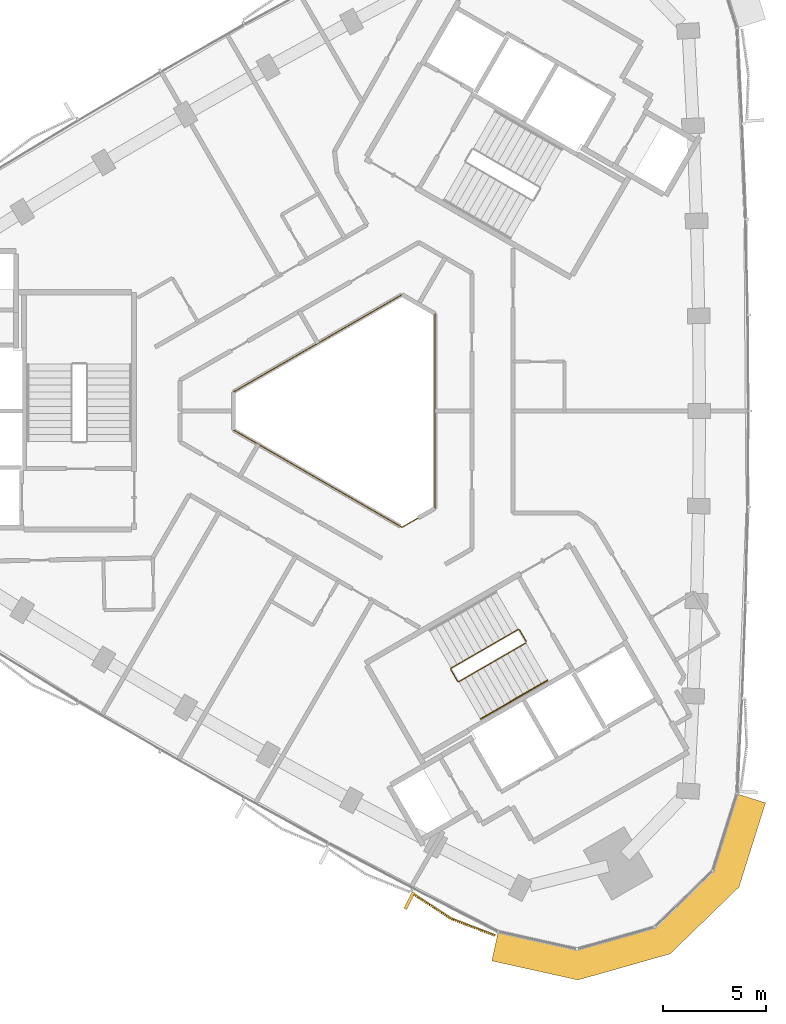
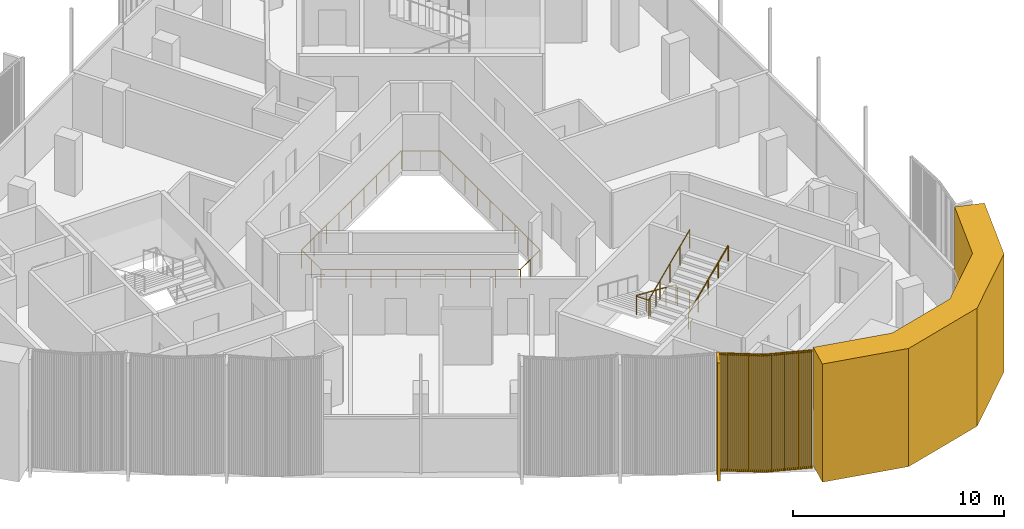
# One storey, part 13 of 16: 3 railings, 2 coverings.
"""IFC4 building model written with IfcOpenShell, lengths in metres."""

from ifc_helpers import new_model, si_unit, direction, frame, frame_2d, origin, origin_2d, place, context, subcontext, project, spatial, polyline, rectangle, circle, outline, extrude, source, transform, mapped, material, layer, layer_set, type_object, element, save


model = new_model("IFC4")

# Units and contexts
model_context = context("Model", 3, precision=1e-05, world=origin(), true_north=direction((0.0, 1.0)))
body_context = subcontext(model_context, "Body", "Model", "MODEL_VIEW")
ifc_project = project(units=[si_unit("LENGTHUNIT", "METRE"), si_unit("AREAUNIT", "SQUARE_METRE"), si_unit("VOLUMEUNIT", "CUBIC_METRE"), si_unit("PLANEANGLEUNIT", "RADIAN"), si_unit("MASSUNIT", "GRAM", prefix="KILO")], contexts=[model_context])

# Site, building, storey
site_placement = place(None, origin())
site = spatial("IfcSite", under=ifc_project, at=site_placement, CompositionType="ELEMENT")
building_placement = place(site_placement, origin())
building = spatial("IfcBuilding", under=site, at=building_placement, Name="Tamra Quay Hotel Tower", CompositionType="ELEMENT")
storey_placement = place(building_placement, frame((0.0, 0.0, 232.199951171875)))
storey = spatial("IfcBuildingStorey", under=building, at=storey_placement, Name="L58", CompositionType="ELEMENT", Elevation=232.199951171875)

# Covering
ifc_material_1 = material(Name="Precast concrete M60 terracotta-coloured", Category="masonry")
ifc_layer = layer(ifc_material_1, 1.449951171875)
ifc_layer_set = layer_set([ifc_layer], Name="CORNER PIER PANEL")
covering_type_1 = type_object("IfcCoveringType", Name="CORNER PIER PANEL", PredefinedType="CLADDING", material=ifc_layer_set)
covering_1_placement = place(storey_placement, origin())
element("IfcCovering", 1, at=covering_1_placement, inside=storey, type_object=covering_type_1, Name="Corner pier L58.south-west", PredefinedType="CLADDING", context=body_context, shape_type="SweptSolid", body=[
    extrude(outline(polyline([(6.880615234375, -25.343017578125), (6.567138671875, -26.758544921875), (10.763671875, -27.68798828125), (15.250732421875, -26.415283203125), (18.5966796875, -23.165771484375), (19.89013671875, -19.066650390625), (18.50732421875, -18.63037109375), (17.323974609375, -22.38037109375), (14.503173828125, -25.1201171875), (10.719970703125, -26.193115234375), (6.880615234375, -25.343017578125)])), origin(), (0.0, 0.0, 1.0), 6.85009765625),
])

# Railings
ifc_material_2 = material(Name="Guard atrium edge 1100")
railing_type_1 = type_object("IfcRailingType", Name="Guard atrium edge 1100", PredefinedType="GUARDRAIL", material=ifc_material_2)
railing_1_placement = place(storey_placement, frame((3.800048828125, -4.73388671875, 0.0)))
element("IfcRailing", 2, at=railing_1_placement, inside=storey, type_object=railing_type_1, Name="G-A", PredefinedType="GUARDRAIL", context=body_context, shape_type="SweptSolid", body=[
    extrude(circle(Radius=0.02392578125, at=origin_2d()), frame((0.0, 0.0, 1.076171875), z_axis=(-0.865965533559, -0.500103683937, 0.0), x_axis=(0.500103683937, -0.865965533559, 0.0)), (0.0, 0.0, 1.0), 1.84765625),
    extrude(circle(Radius=0.02392578125, at=origin_2d()), frame((-1.60009765625, -0.924072265625, 1.076171875), z_axis=(-0.86604174356, 0.49997169761, 0.0), x_axis=(-0.49997169761, -0.86604174356, 0.0)), (0.0, 0.0, 1.0), 9.46826171875),
    extrude(circle(Radius=0.02392578125, at=origin_2d()), frame((-9.800048828125, 3.809814453125, 1.076171875), z_axis=(0.0, 1.0, 0.0), x_axis=(-1.0, 0.0, 0.0)), (0.0, 0.0, 1.0), 1.84814453125),
    extrude(circle(Radius=0.02392578125, at=origin_2d()), frame((-9.800048828125, 5.657958984375, 1.076171875), z_axis=(0.86604174356, 0.49997169761, 0.0), x_axis=(-0.49997169761, 0.86604174356, 0.0)), (0.0, 0.0, 1.0), 9.46826171875),
    extrude(circle(Radius=0.02392578125, at=origin_2d()), frame((-1.60009765625, 10.391845703125, 1.076171875), z_axis=(0.865965533559, -0.500103683937, 0.0), x_axis=(0.500103683937, 0.865965533559, 0.0)), (0.0, 0.0, 1.0), 1.84765625),
    extrude(circle(Radius=0.02392578125, at=origin_2d()), frame((0.0, 9.4677734375, 1.076171875), z_axis=(0.0, -1.0, 0.0), x_axis=(1.0, 0.0, 0.0)), (0.0, 0.0, 1.0), 9.4677734375),
    extrude(circle(Radius=0.02099609375, at=origin_2d()), origin(), (0.0, 0.0, 1.0), 1.052001953125),
    extrude(circle(Radius=0.02099609375, at=origin_2d()), frame((-0.800048828125, -0.4619140625, 0.0)), (0.0, 0.0, 1.0), 1.052001953125),
    extrude(circle(Radius=0.02099609375, at=origin_2d()), frame((-1.60009765625, -0.924072265625, 0.0)), (0.0, 0.0, 1.0), 1.052001953125),
    extrude(circle(Radius=0.02099609375, at=origin_2d()), frame((-2.625, -0.332275390625, 0.0)), (0.0, 0.0, 1.0), 1.052001953125),
    extrude(circle(Radius=0.02099609375, at=origin_2d()), frame((-3.650146484375, 0.25927734375, 0.0)), (0.0, 0.0, 1.0), 1.052001953125),
    extrude(circle(Radius=0.02099609375, at=origin_2d()), frame((-4.675048828125, 0.85107421875, 0.0)), (0.0, 0.0, 1.0), 1.052001953125),
    extrude(circle(Radius=0.02099609375, at=origin_2d()), frame((-5.7001953125, 1.44287109375, 0.0)), (0.0, 0.0, 1.0), 1.052001953125),
    extrude(circle(Radius=0.02099609375, at=origin_2d()), frame((-6.72509765625, 2.03466796875, 0.0)), (0.0, 0.0, 1.0), 1.052001953125),
    extrude(circle(Radius=0.02099609375, at=origin_2d()), frame((-7.75, 2.62646484375, 0.0)), (0.0, 0.0, 1.0), 1.052001953125),
    extrude(circle(Radius=0.02099609375, at=origin_2d()), frame((-8.775146484375, 3.218017578125, 0.0)), (0.0, 0.0, 1.0), 1.052001953125),
    extrude(circle(Radius=0.02099609375, at=origin_2d()), frame((-9.800048828125, 3.809814453125, 0.0)), (0.0, 0.0, 1.0), 1.052001953125),
    extrude(circle(Radius=0.02099609375, at=origin_2d()), frame((-9.800048828125, 4.73388671875, 0.0)), (0.0, 0.0, 1.0), 1.052001953125),
    extrude(circle(Radius=0.02099609375, at=origin_2d()), frame((-9.800048828125, 5.657958984375, 0.0)), (0.0, 0.0, 1.0), 1.052001953125),
    extrude(circle(Radius=0.02099609375, at=origin_2d()), frame((-8.775146484375, 6.249755859375, 0.0)), (0.0, 0.0, 1.0), 1.052001953125),
    extrude(circle(Radius=0.02099609375, at=origin_2d()), frame((-7.75, 6.84130859375, 0.0)), (0.0, 0.0, 1.0), 1.052001953125),
    extrude(circle(Radius=0.02099609375, at=origin_2d()), frame((-6.72509765625, 7.43310546875, 0.0)), (0.0, 0.0, 1.0), 1.052001953125),
    extrude(circle(Radius=0.02099609375, at=origin_2d()), frame((-5.7001953125, 8.02490234375, 0.0)), (0.0, 0.0, 1.0), 1.052001953125),
    extrude(circle(Radius=0.02099609375, at=origin_2d()), frame((-4.675048828125, 8.61669921875, 0.0)), (0.0, 0.0, 1.0), 1.052001953125),
    extrude(circle(Radius=0.02099609375, at=origin_2d()), frame((-3.650146484375, 9.20849609375, 0.0)), (0.0, 0.0, 1.0), 1.052001953125),
    extrude(circle(Radius=0.02099609375, at=origin_2d()), frame((-2.625, 9.800048828125, 0.0)), (0.0, 0.0, 1.0), 1.052001953125),
    extrude(circle(Radius=0.02099609375, at=origin_2d()), frame((-1.60009765625, 10.391845703125, 0.0)), (0.0, 0.0, 1.0), 1.052001953125),
    extrude(circle(Radius=0.02099609375, at=origin_2d()), frame((-0.800048828125, 9.9296875, 0.0)), (0.0, 0.0, 1.0), 1.052001953125),
    extrude(circle(Radius=0.02099609375, at=origin_2d()), frame((0.0, 9.4677734375, 0.0)), (0.0, 0.0, 1.0), 1.052001953125),
    extrude(circle(Radius=0.02099609375, at=origin_2d()), frame((0.0, 8.2841796875, 0.0)), (0.0, 0.0, 1.0), 1.052001953125),
    extrude(circle(Radius=0.02099609375, at=origin_2d()), frame((0.0, 7.100830078125, 0.0)), (0.0, 0.0, 1.0), 1.052001953125),
    extrude(circle(Radius=0.02099609375, at=origin_2d()), frame((0.0, 5.91748046875, 0.0)), (0.0, 0.0, 1.0), 1.052001953125),
    extrude(circle(Radius=0.02099609375, at=origin_2d()), frame((0.0, 4.73388671875, 0.0)), (0.0, 0.0, 1.0), 1.052001953125),
    extrude(circle(Radius=0.02099609375, at=origin_2d()), frame((0.0, 3.55029296875, 0.0)), (0.0, 0.0, 1.0), 1.052001953125),
    extrude(circle(Radius=0.02099609375, at=origin_2d()), frame((0.0, 2.366943359375, 0.0)), (0.0, 0.0, 1.0), 1.052001953125),
    extrude(circle(Radius=0.02099609375, at=origin_2d()), frame((0.0, 1.18359375, 0.0)), (0.0, 0.0, 1.0), 1.052001953125),
])
ifc_material_3 = material(Name="Stair guard 1100")
railing_type_2 = type_object("IfcRailingType", Name="Stair guard 1100", PredefinedType="GUARDRAIL", material=ifc_material_3)
railing_2_placement = place(storey_placement, frame((8.245849609375, -11.221923828125, 0.0)))
element("IfcRailing", 3, at=railing_2_placement, inside=storey, type_object=railing_type_2, Name="GR", PredefinedType="GUARDRAIL", context=body_context, shape_type="SweptSolid", body=[
    extrude(circle(Radius=0.02392578125, at=origin_2d()), frame((0.0, 0.0, 1.076171875), z_axis=(-0.500043078269, 0.866000531106, 0.0), x_axis=(-0.866000531106, -0.500043078269, 0.0)), (0.0, 0.0, 1.0), 0.6591796875),
    extrude(circle(Radius=0.02392578125, at=origin_2d()), frame((-0.32958984375, 0.57080078125, 1.076171875), z_axis=(-0.411831509231, 0.110312011401, 0.90455849349), x_axis=(-0.258736085224, -0.965948051503, 0.0)), (0.0, 0.0, 1.0), 0.166015625),
    extrude(circle(Radius=0.02392578125, at=origin_2d()), frame((-0.39794921875, 0.589111328125, 1.22607421875), z_axis=(-0.793100512587, -0.457912285461, 0.401631567183), x_axis=(0.500012686397, -0.866018079166, 0.0)), (0.0, 0.0, 1.0), 4.10791015625),
    extrude(circle(Radius=0.02392578125, at=origin_2d()), frame((-3.656005859375, -1.2919921875, 2.8759765625), z_axis=(-0.256368644879, -0.966579080015, 0.0), x_axis=(0.966579080015, -0.256368644879, 0.0)), (0.0, 0.0, 1.0), 0.070556640625),
    extrude(circle(Radius=0.02392578125, at=origin_2d()), frame((-3.674072265625, -1.360107421875, 2.8759765625), z_axis=(0.499765215335, -0.866160914346, 0.0), x_axis=(0.866160914346, 0.499765215335, 0.0)), (0.0, 0.0, 1.0), 0.658935546875),
    extrude(circle(Radius=0.02392578125, at=origin_2d()), frame((-3.3447265625, -1.930908203125, 2.8759765625), z_axis=(0.41238007866, -0.110458949641, 0.904290601062), x_axis=(0.258736085224, 0.965948051503, 0.0)), (0.0, 0.0, 1.0), 0.165771484375),
    extrude(circle(Radius=0.02392578125, at=origin_2d()), frame((-3.2763671875, -1.94921875, 3.02587890625), z_axis=(0.793081581205, 0.457901355053, 0.401681409319), x_axis=(-0.500012686397, 0.866018079166, 0.0)), (0.0, 0.0, 1.0), 4.108154296875),
    extrude(circle(Radius=0.02099609375, at=origin_2d()), origin(), (0.0, 0.0, 1.0), 1.052001953125),
    extrude(circle(Radius=0.02099609375, at=origin_2d()), frame((-0.32958984375, 0.57080078125, 0.0)), (0.0, 0.0, 1.0), 1.052001953125),
    extrude(circle(Radius=0.02099609375, at=origin_2d()), frame((-0.39794921875, 0.589111328125, 0.150146484375)), (0.0, 0.0, 1.0), 1.052001953125),
    extrude(circle(Radius=0.02099609375, at=origin_2d()), frame((-1.21240234375, 0.118896484375, 0.5625)), (0.0, 0.0, 1.0), 1.052001953125),
    extrude(circle(Radius=0.02099609375, at=origin_2d()), frame((-2.02685546875, -0.3515625, 0.97509765625)), (0.0, 0.0, 1.0), 1.052001953125),
    extrude(circle(Radius=0.02099609375, at=origin_2d()), frame((-2.841552734375, -0.82177734375, 1.3876953125)), (0.0, 0.0, 1.0), 1.052001953125),
    extrude(circle(Radius=0.02099609375, at=origin_2d()), frame((-3.656005859375, -1.2919921875, 1.800048828125)), (0.0, 0.0, 1.0), 1.052001953125),
    extrude(circle(Radius=0.02099609375, at=origin_2d()), frame((-3.674072265625, -1.360107421875, 1.800048828125)), (0.0, 0.0, 1.0), 1.052001953125),
    extrude(circle(Radius=0.02099609375, at=origin_2d()), frame((-3.3447265625, -1.930908203125, 1.800048828125)), (0.0, 0.0, 1.0), 1.052001953125),
    extrude(circle(Radius=0.02099609375, at=origin_2d()), frame((-3.2763671875, -1.94921875, 1.949951171875)), (0.0, 0.0, 1.0), 1.052001953125),
    extrude(circle(Radius=0.02099609375, at=origin_2d()), frame((-2.4619140625, -1.47900390625, 2.362548828125)), (0.0, 0.0, 1.0), 1.052001953125),
    extrude(circle(Radius=0.02099609375, at=origin_2d()), frame((-1.6474609375, -1.0087890625, 2.77490234375)), (0.0, 0.0, 1.0), 1.052001953125),
    extrude(circle(Radius=0.02099609375, at=origin_2d()), frame((-0.832763671875, -0.538330078125, 3.1875)), (0.0, 0.0, 1.0), 1.052001953125),
    extrude(circle(Radius=0.02099609375, at=origin_2d()), frame((-0.018310546875, -0.068115234375, 3.60009765625)), (0.0, 0.0, 1.0), 1.052001953125),
])
ifc_material_4 = material(Name="Stair handrail 900")
railing_type_3 = type_object("IfcRailingType", Name="Stair handrail 900", PredefinedType="HANDRAIL", material=ifc_material_4)
railing_3_placement = place(storey_placement, frame((6.01953125, -14.98974609375, 1.949951171875)))
element("IfcRailing", 4, at=railing_3_placement, inside=storey, type_object=railing_type_3, Name="HR", PredefinedType="HANDRAIL", context=body_context, shape_type="SweptSolid", body=[
    extrude(circle(Radius=0.02392578125, at=origin_2d()), frame((0.0, 0.0, 0.8759765625), z_axis=(0.793081112945, 0.457875966286, 0.40171127416), x_axis=(-0.499992114976, 0.866029956157, 0.0)), (0.0, 0.0, 1.0), 4.10791015625),
    extrude(circle(Radius=0.02099609375, at=origin_2d()), origin(), (0.0, 0.0, 1.0), 0.851806640625),
    extrude(circle(Radius=0.02099609375, at=origin_2d()), frame((0.814453125, 0.47021484375, 0.41259765625)), (0.0, 0.0, 1.0), 0.851806640625),
    extrude(circle(Radius=0.02099609375, at=origin_2d()), frame((1.62890625, 0.9404296875, 0.8251953125)), (0.0, 0.0, 1.0), 0.851806640625),
    extrude(circle(Radius=0.02099609375, at=origin_2d()), frame((2.443359375, 1.41064453125, 1.237548828125)), (0.0, 0.0, 1.0), 0.851806640625),
    extrude(circle(Radius=0.02099609375, at=origin_2d()), frame((3.2578125, 1.880859375, 1.650146484375)), (0.0, 0.0, 1.0), 0.851806640625),
])

# Covering
ifc_material_5 = material(Name="Terracotta baguette extruded", Category="masonry")
covering_type_2 = type_object("IfcCoveringType", Name="BAGUETTE SCREEN SW-V H6850", PredefinedType="USERDEFINED", material=ifc_material_5)
shared_shape = source(origin(), body_context, "Body", "SweptSolid", [
    extrude(rectangle(XDim=2.295166015625, YDim=0.06005859375, at=frame_2d((1.1474609375, 0.030029296875))), frame((-2.288818359375, -0.0576171875, -0.1201171875), z_axis=(0.0, 0.0, 1.0), x_axis=(0.994521895368, -0.104528463268, 0.0)), (0.0, 0.0, 1.0), 0.1201171875),
    extrude(rectangle(XDim=2.295166015625, YDim=0.06005859375, at=frame_2d((1.1474609375, 0.030029296875))), frame((-2.288818359375, -0.0576171875, -6.85009765625), z_axis=(0.0, 0.0, 1.0), x_axis=(0.994521895368, -0.104528463268, 0.0)), (0.0, 0.0, 1.0), 0.1201171875),
    extrude(rectangle(XDim=0.070068359375, YDim=0.10009765625, at=frame_2d((0.03515625, 0.050048828125))), frame((-2.267822265625, -0.13330078125, -6.7900390625)), (0.0, 0.0, 1.0), 6.72998046875),
    extrude(rectangle(XDim=0.070068359375, YDim=0.10009765625, at=frame_2d((0.03515625, 0.050048828125))), frame((-2.168701171875, -0.1435546875, -6.7900390625)), (0.0, 0.0, 1.0), 6.72998046875),
    extrude(rectangle(XDim=0.070068359375, YDim=0.10009765625, at=frame_2d((0.03515625, 0.050048828125))), frame((-2.0693359375, -0.154052734375, -6.7900390625)), (0.0, 0.0, 1.0), 6.72998046875),
    extrude(rectangle(XDim=0.070068359375, YDim=0.10009765625, at=frame_2d((0.03515625, 0.050048828125))), frame((-1.97021484375, -0.16455078125, -6.7900390625)), (0.0, 0.0, 1.0), 6.72998046875),
    extrude(rectangle(XDim=0.070068359375, YDim=0.10009765625, at=frame_2d((0.03515625, 0.050048828125))), frame((-1.870849609375, -0.175048828125, -6.7900390625)), (0.0, 0.0, 1.0), 6.72998046875),
    extrude(rectangle(XDim=0.070068359375, YDim=0.10009765625, at=frame_2d((0.03515625, 0.050048828125))), frame((-1.771728515625, -0.185302734375, -6.7900390625)), (0.0, 0.0, 1.0), 6.72998046875),
    extrude(rectangle(XDim=0.070068359375, YDim=0.10009765625, at=frame_2d((0.03515625, 0.050048828125))), frame((-1.67236328125, -0.19580078125, -6.7900390625)), (0.0, 0.0, 1.0), 6.72998046875),
    extrude(rectangle(XDim=0.070068359375, YDim=0.10009765625, at=frame_2d((0.03515625, 0.050048828125))), frame((-1.5732421875, -0.206298828125, -6.7900390625)), (0.0, 0.0, 1.0), 6.72998046875),
    extrude(rectangle(XDim=0.070068359375, YDim=0.10009765625, at=frame_2d((0.03515625, 0.050048828125))), frame((-1.473876953125, -0.216552734375, -6.7900390625)), (0.0, 0.0, 1.0), 6.72998046875),
    extrude(rectangle(XDim=0.070068359375, YDim=0.10009765625, at=frame_2d((0.03515625, 0.050048828125))), frame((-1.374755859375, -0.22705078125, -6.7900390625)), (0.0, 0.0, 1.0), 6.72998046875),
    extrude(rectangle(XDim=0.070068359375, YDim=0.10009765625, at=frame_2d((0.03515625, 0.050048828125))), frame((-1.275390625, -0.237548828125, -6.7900390625)), (0.0, 0.0, 1.0), 6.72998046875),
    extrude(rectangle(XDim=0.070068359375, YDim=0.10009765625, at=frame_2d((0.03515625, 0.050048828125))), frame((-1.17626953125, -0.248046875, -6.7900390625)), (0.0, 0.0, 1.0), 6.72998046875),
    extrude(rectangle(XDim=0.070068359375, YDim=0.10009765625, at=frame_2d((0.03515625, 0.050048828125))), frame((-1.076904296875, -0.25830078125, -6.7900390625)), (0.0, 0.0, 1.0), 6.72998046875),
    extrude(rectangle(XDim=0.070068359375, YDim=0.10009765625, at=frame_2d((0.03515625, 0.050048828125))), frame((-0.977783203125, -0.268798828125, -6.7900390625)), (0.0, 0.0, 1.0), 6.72998046875),
    extrude(rectangle(XDim=0.070068359375, YDim=0.10009765625, at=frame_2d((0.03515625, 0.050048828125))), frame((-0.87841796875, -0.279296875, -6.7900390625)), (0.0, 0.0, 1.0), 6.72998046875),
    extrude(rectangle(XDim=0.070068359375, YDim=0.10009765625, at=frame_2d((0.03515625, 0.050048828125))), frame((-0.779296875, -0.28955078125, -6.7900390625)), (0.0, 0.0, 1.0), 6.72998046875),
    extrude(rectangle(XDim=0.070068359375, YDim=0.10009765625, at=frame_2d((0.03515625, 0.050048828125))), frame((-0.679931640625, -0.300048828125, -6.7900390625)), (0.0, 0.0, 1.0), 6.72998046875),
    extrude(rectangle(XDim=0.070068359375, YDim=0.10009765625, at=frame_2d((0.03515625, 0.050048828125))), frame((-0.580810546875, -0.310546875, -6.7900390625)), (0.0, 0.0, 1.0), 6.72998046875),
    extrude(rectangle(XDim=0.070068359375, YDim=0.10009765625, at=frame_2d((0.03515625, 0.050048828125))), frame((-0.481689453125, -0.321044921875, -6.7900390625)), (0.0, 0.0, 1.0), 6.72998046875),
    extrude(rectangle(XDim=0.070068359375, YDim=0.10009765625, at=frame_2d((0.03515625, 0.050048828125))), frame((-0.38232421875, -0.331298828125, -6.7900390625)), (0.0, 0.0, 1.0), 6.72998046875),
    extrude(rectangle(XDim=0.070068359375, YDim=0.10009765625, at=frame_2d((0.03515625, 0.050048828125))), frame((-0.283203125, -0.341796875, -6.7900390625)), (0.0, 0.0, 1.0), 6.72998046875),
    extrude(rectangle(XDim=0.070068359375, YDim=0.10009765625, at=frame_2d((0.03515625, 0.050048828125))), frame((-0.183837890625, -0.352294921875, -6.7900390625)), (0.0, 0.0, 1.0), 6.72998046875),
    extrude(rectangle(XDim=0.070068359375, YDim=0.10009765625, at=frame_2d((0.03515625, 0.050048828125))), frame((-0.084716796875, -0.36279296875, -6.7900390625)), (0.0, 0.0, 1.0), 6.72998046875),
    extrude(rectangle(XDim=2.295166015625, YDim=0.06005859375, at=frame_2d((1.1474609375, 0.030029296875))), frame((0.00634765625, -0.297607421875, -0.1201171875), z_axis=(0.0, 0.0, 1.0), x_axis=(0.994521895368, 0.104528463268, 0.0)), (0.0, 0.0, 1.0), 0.1201171875),
    extrude(rectangle(XDim=2.295166015625, YDim=0.06005859375, at=frame_2d((1.1474609375, 0.030029296875))), frame((0.00634765625, -0.297607421875, -6.85009765625), z_axis=(0.0, 0.0, 1.0), x_axis=(0.994521895368, 0.104528463268, 0.0)), (0.0, 0.0, 1.0), 0.1201171875),
    extrude(rectangle(XDim=0.070068359375, YDim=0.10009765625, at=frame_2d((0.03515625, 0.050048828125))), frame((0.0146484375, -0.36279296875, -6.7900390625)), (0.0, 0.0, 1.0), 6.72998046875),
    extrude(rectangle(XDim=0.070068359375, YDim=0.10009765625, at=frame_2d((0.03515625, 0.050048828125))), frame((0.11376953125, -0.352294921875, -6.7900390625)), (0.0, 0.0, 1.0), 6.72998046875),
    extrude(rectangle(XDim=0.070068359375, YDim=0.10009765625, at=frame_2d((0.03515625, 0.050048828125))), frame((0.213134765625, -0.341796875, -6.7900390625)), (0.0, 0.0, 1.0), 6.72998046875),
    extrude(rectangle(XDim=0.070068359375, YDim=0.10009765625, at=frame_2d((0.03515625, 0.050048828125))), frame((0.312255859375, -0.331298828125, -6.7900390625)), (0.0, 0.0, 1.0), 6.72998046875),
    extrude(rectangle(XDim=0.070068359375, YDim=0.10009765625, at=frame_2d((0.03515625, 0.050048828125))), frame((0.41162109375, -0.321044921875, -6.7900390625)), (0.0, 0.0, 1.0), 6.72998046875),
    extrude(rectangle(XDim=0.070068359375, YDim=0.10009765625, at=frame_2d((0.03515625, 0.050048828125))), frame((0.5107421875, -0.310546875, -6.7900390625)), (0.0, 0.0, 1.0), 6.72998046875),
    extrude(rectangle(XDim=0.070068359375, YDim=0.10009765625, at=frame_2d((0.03515625, 0.050048828125))), frame((0.610107421875, -0.300048828125, -6.7900390625)), (0.0, 0.0, 1.0), 6.72998046875),
    extrude(rectangle(XDim=0.070068359375, YDim=0.10009765625, at=frame_2d((0.03515625, 0.050048828125))), frame((0.709228515625, -0.28955078125, -6.7900390625)), (0.0, 0.0, 1.0), 6.72998046875),
    extrude(rectangle(XDim=0.070068359375, YDim=0.10009765625, at=frame_2d((0.03515625, 0.050048828125))), frame((0.80859375, -0.279296875, -6.7900390625)), (0.0, 0.0, 1.0), 6.72998046875),
    extrude(rectangle(XDim=0.070068359375, YDim=0.10009765625, at=frame_2d((0.03515625, 0.050048828125))), frame((0.90771484375, -0.268798828125, -6.7900390625)), (0.0, 0.0, 1.0), 6.72998046875),
    extrude(rectangle(XDim=0.070068359375, YDim=0.10009765625, at=frame_2d((0.03515625, 0.050048828125))), frame((1.007080078125, -0.25830078125, -6.7900390625)), (0.0, 0.0, 1.0), 6.72998046875),
    extrude(rectangle(XDim=0.070068359375, YDim=0.10009765625, at=frame_2d((0.03515625, 0.050048828125))), frame((1.106201171875, -0.248046875, -6.7900390625)), (0.0, 0.0, 1.0), 6.72998046875),
    extrude(rectangle(XDim=0.070068359375, YDim=0.10009765625, at=frame_2d((0.03515625, 0.050048828125))), frame((1.20556640625, -0.237548828125, -6.7900390625)), (0.0, 0.0, 1.0), 6.72998046875),
    extrude(rectangle(XDim=0.070068359375, YDim=0.10009765625, at=frame_2d((0.03515625, 0.050048828125))), frame((1.3046875, -0.22705078125, -6.7900390625)), (0.0, 0.0, 1.0), 6.72998046875),
    extrude(rectangle(XDim=0.070068359375, YDim=0.10009765625, at=frame_2d((0.03515625, 0.050048828125))), frame((1.404052734375, -0.216552734375, -6.7900390625)), (0.0, 0.0, 1.0), 6.72998046875),
    extrude(rectangle(XDim=0.070068359375, YDim=0.10009765625, at=frame_2d((0.03515625, 0.050048828125))), frame((1.503173828125, -0.206298828125, -6.7900390625)), (0.0, 0.0, 1.0), 6.72998046875),
    extrude(rectangle(XDim=0.070068359375, YDim=0.10009765625, at=frame_2d((0.03515625, 0.050048828125))), frame((1.6025390625, -0.19580078125, -6.7900390625)), (0.0, 0.0, 1.0), 6.72998046875),
    extrude(rectangle(XDim=0.070068359375, YDim=0.10009765625, at=frame_2d((0.03515625, 0.050048828125))), frame((1.70166015625, -0.185302734375, -6.7900390625)), (0.0, 0.0, 1.0), 6.72998046875),
    extrude(rectangle(XDim=0.070068359375, YDim=0.10009765625, at=frame_2d((0.03515625, 0.050048828125))), frame((1.801025390625, -0.175048828125, -6.7900390625)), (0.0, 0.0, 1.0), 6.72998046875),
    extrude(rectangle(XDim=0.070068359375, YDim=0.10009765625, at=frame_2d((0.03515625, 0.050048828125))), frame((1.900146484375, -0.16455078125, -6.7900390625)), (0.0, 0.0, 1.0), 6.72998046875),
    extrude(rectangle(XDim=0.070068359375, YDim=0.10009765625, at=frame_2d((0.03515625, 0.050048828125))), frame((1.99951171875, -0.154052734375, -6.7900390625)), (0.0, 0.0, 1.0), 6.72998046875),
    extrude(rectangle(XDim=0.070068359375, YDim=0.10009765625, at=frame_2d((0.03515625, 0.050048828125))), frame((2.0986328125, -0.1435546875, -6.7900390625)), (0.0, 0.0, 1.0), 6.72998046875),
    extrude(rectangle(XDim=0.070068359375, YDim=0.10009765625, at=frame_2d((0.03515625, 0.050048828125))), frame((2.197998046875, -0.13330078125, -6.7900390625)), (0.0, 0.0, 1.0), 6.72998046875),
    extrude(rectangle(XDim=0.14990234375, YDim=0.902099609375, at=frame_2d((0.074951171875, 0.451171875))), frame((-2.282470703125, -0.89990234375, -6.85009765625)), (0.0, 0.0, 1.0), 6.85009765625),
])
covering_2_placement = place(storey_placement, frame((4.729248046875, -24.432861328125, 6.85009765625), z_axis=(0.0, 0.0, 1.0), x_axis=(0.890581934038, -0.454822843276, 0.0)))
element("IfcCovering", 5, at=covering_2_placement, inside=storey, type_object=covering_type_2, Name="Baguette screen L58.SW.f07", ObjectType="BAGUETTE SCREEN", PredefinedType="USERDEFINED", context=body_context, shape_type="MappedRepresentation", body=[
    mapped(shared_shape, transform((0.0, 0.0, 0.0), scale=1.0)),
])

save(model, "model.ifc")
